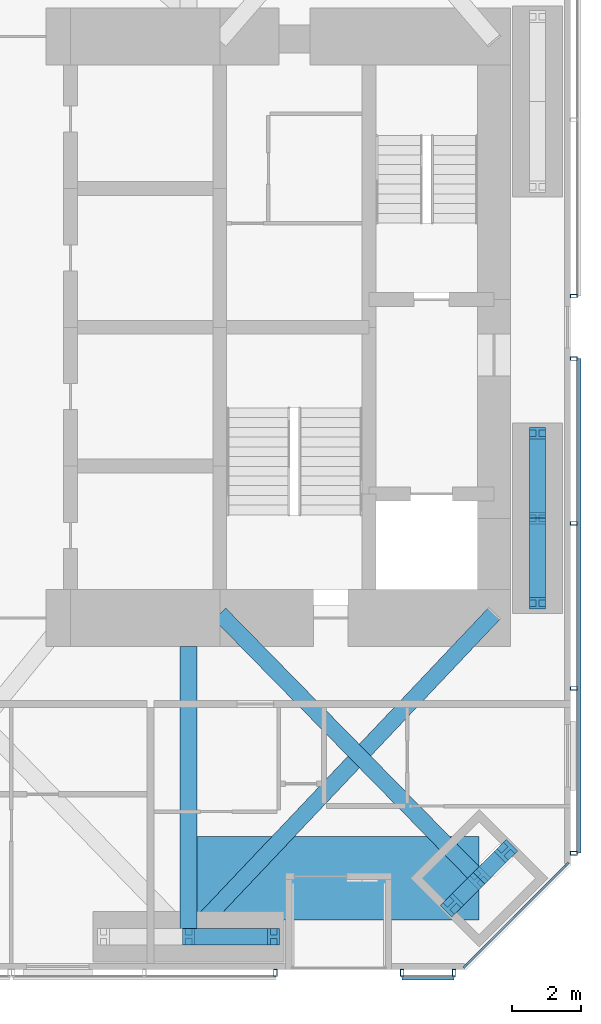
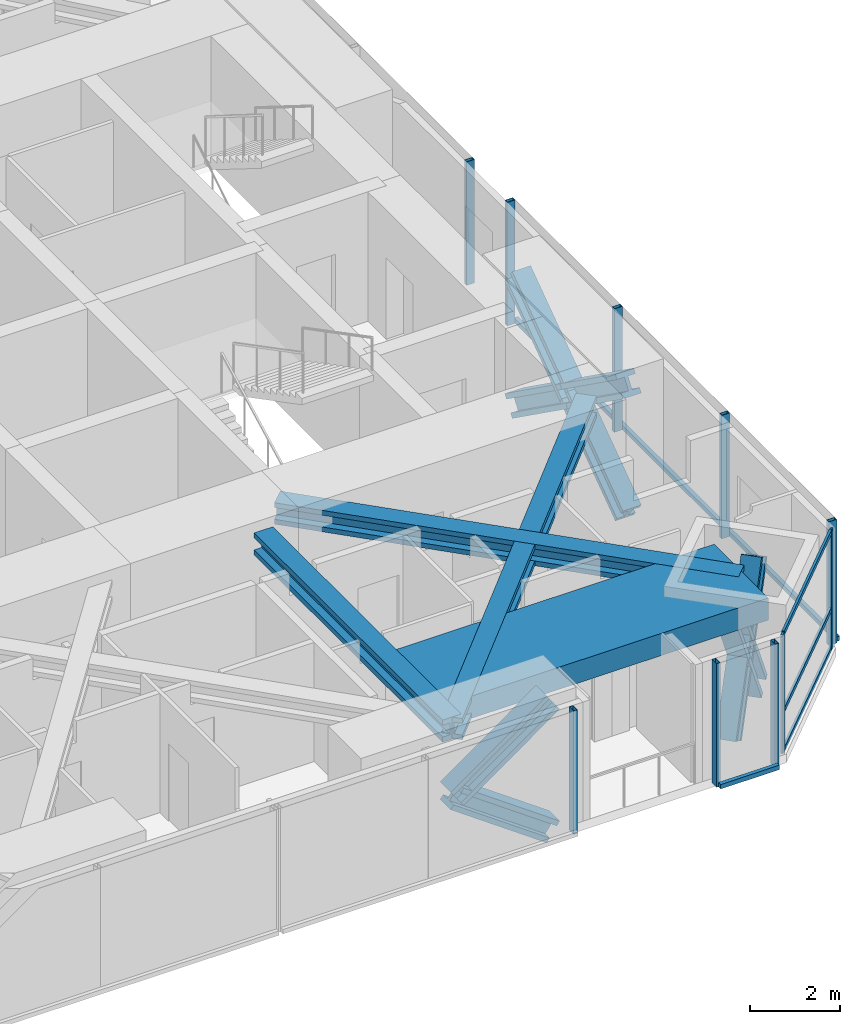
# One storey, part 8 of 22: 27 members, 2 beams, 5 elements without a shape of their own.
"""IFC4 building model written with IfcOpenShell, lengths in metres."""

from ifc_helpers import new_model, si_unit, direction, frame, origin, origin_2d, place, context, subcontext, project, spatial, rectangle, hollow_rectangle, i_section, extrude, material, material_profile, profile_set, type_object, element, aggregate, save


model = new_model("IFC4")

# Units and contexts
model_context = context("Model", 3, precision=1e-05, world=origin(), true_north=direction((0.0, 1.0)))
body_context = subcontext(model_context, "Body", "Model", "MODEL_VIEW")
ifc_project = project(units=[si_unit("LENGTHUNIT", "METRE"), si_unit("AREAUNIT", "SQUARE_METRE"), si_unit("VOLUMEUNIT", "CUBIC_METRE"), si_unit("PLANEANGLEUNIT", "RADIAN"), si_unit("MASSUNIT", "GRAM", prefix="KILO")], contexts=[model_context])

# Site, building, storey
site_placement = place(None, origin())
site = spatial("IfcSite", under=ifc_project, at=site_placement, CompositionType="ELEMENT")
building_placement = place(site_placement, origin())
building = spatial("IfcBuilding", under=site, at=building_placement, Name="Jalousie Tower", CompositionType="ELEMENT")
storey_placement = place(building_placement, frame((0.0, 0.0, 71.25)))
storey = spatial("IfcBuildingStorey", under=building, at=storey_placement, Name="L19", CompositionType="ELEMENT", Elevation=71.25)

# Curtain wall, members
ifc_material_1 = material(Name="Aluminium curtain wall", Category="aluminium")
curtain_wall_type_1 = type_object("IfcCurtainWallType", Name="CORNER WINDOW WALL", PredefinedType="USERDEFINED", material=ifc_material_1)
curtain_wall_1_placement = place(storey_placement, origin())
curtain_wall_1 = element("IfcCurtainWall", 1, at=curtain_wall_1_placement, inside=storey, type_object=curtain_wall_type_1, Name="Corner Window Wall L19 2", ObjectType="CORNER WINDOW WALL", PredefinedType="USERDEFINED")
ifc_material_2 = material(Name="Aluminium mullion", Category="aluminium")
ifc_material_profile_1 = material_profile(ifc_material_2, rectangle(XDim=0.06005859375, YDim=0.14990234375, at=origin_2d()), Name="MULLION 60x150")
ifc_profile_set_1 = profile_set([ifc_material_profile_1], Name="Aluminium mullion")
member_type_1 = type_object("IfcMemberType", Name="CORNER WINDOW WALL MULLION", PredefinedType="MULLION", material=ifc_profile_set_1)
member_1_placement = place(storey_placement, frame((42.969970703125, 0.108642578125, 0.0), z_axis=(0.0, 0.0, 1.0), x_axis=(-0.707106781187, 0.707106781187, 0.0)))
member_1 = element("IfcMember", 2, at=member_1_placement, type_object=member_type_1, Name="CW-C mullion 1", PredefinedType="MULLION", context=body_context, shape_type="SweptSolid", body=[
    extrude(rectangle(XDim=0.06005859375, YDim=0.14990234375, at=origin_2d()), origin(), (0.0, 0.0, 1.0), 3.219970703125),
])
member_2_placement = place(storey_placement, frame((45.891357421875, 3.030029296875, 0.0), z_axis=(0.0, 0.0, 1.0), x_axis=(-0.707106781187, 0.707106781187, 0.0)))
member_2 = element("IfcMember", 3, at=member_2_placement, type_object=member_type_1, Name="CW-C mullion 2", PredefinedType="MULLION", context=body_context, shape_type="SweptSolid", body=[
    extrude(rectangle(XDim=0.06005859375, YDim=0.14990234375, at=origin_2d()), origin(), (0.0, 0.0, 1.0), 3.219970703125),
])
ifc_material_3 = material(Name="Aluminium transom", Category="aluminium")
ifc_material_profile_2 = material_profile(ifc_material_3, rectangle(XDim=0.06005859375, YDim=0.1201171875, at=origin_2d()), Name="TRANSOM 60x120")
ifc_profile_set_2 = profile_set([ifc_material_profile_2], Name="Aluminium transom")
member_type_2 = type_object("IfcMemberType", Name="CORNER WINDOW WALL TRANSOM", PredefinedType="USERDEFINED", material=ifc_profile_set_2)
member_3_placement = place(storey_placement, frame((42.9912109375, 0.1298828125, 0.030029296875), z_axis=(0.707106781187, 0.707106781187, 0.0), x_axis=(-0.707106781187, 0.707106781187, 0.0)))
member_3 = element("IfcMember", 4, at=member_3_placement, type_object=member_type_2, Name="CW-C transom 1.1", ObjectType="TRANSOM", PredefinedType="USERDEFINED", context=body_context, shape_type="SweptSolid", body=[
    extrude(rectangle(XDim=0.06005859375, YDim=0.1201171875, at=origin_2d()), origin(), (0.0, 0.0, 1.0), 4.0712890625),
])
member_4_placement = place(storey_placement, frame((42.9912109375, 0.1298828125, 1.10009765625), z_axis=(0.707106781187, 0.707106781187, 0.0), x_axis=(-0.707106781187, 0.707106781187, 0.0)))
member_4 = element("IfcMember", 5, at=member_4_placement, type_object=member_type_2, Name="CW-C transom 1.2", ObjectType="TRANSOM", PredefinedType="USERDEFINED", context=body_context, shape_type="SweptSolid", body=[
    extrude(rectangle(XDim=0.06005859375, YDim=0.1201171875, at=origin_2d()), origin(), (0.0, 0.0, 1.0), 4.0712890625),
])
member_5_placement = place(storey_placement, frame((42.9912109375, 0.1298828125, 3.18994140625), z_axis=(0.707106781187, 0.707106781187, 0.0), x_axis=(-0.707106781187, 0.707106781187, 0.0)))
member_5 = element("IfcMember", 6, at=member_5_placement, type_object=member_type_2, Name="CW-C transom 1.3", ObjectType="TRANSOM", PredefinedType="USERDEFINED", context=body_context, shape_type="SweptSolid", body=[
    extrude(rectangle(XDim=0.06005859375, YDim=0.1201171875, at=origin_2d()), origin(), (0.0, 0.0, 1.0), 4.0712890625),
])
aggregate(curtain_wall_1, [member_1, member_2, member_3, member_4, member_5])

# Members
ifc_material_4 = material(Name="Steel ASTM A992 Grade 50", Category="steel")
ifc_material_profile_3 = material_profile(ifc_material_4, i_section(OverallWidth=0.472412109375, OverallDepth=0.5791015625, WebThickness=0.094970703125, FlangeThickness=0.1298828125, at=origin_2d()), Name="W14X808")
ifc_profile_set_3 = profile_set([ifc_material_profile_3], Name="Steel ASTM A992 Grade 50")
member_type_3 = type_object("IfcMemberType", Name="KINK FLOOR TRUSS DIAGONAL W14X808", PredefinedType="BRACE", material=ifc_profile_set_3)
member_6_placement = place(storey_placement, frame((35.0, 0.949951171875, 2.930419921875), z_axis=(0.687311358421, 0.726362923466, 0.0), x_axis=(-0.726362923466, 0.687311358421, 0.0)))
element("IfcMember", 7, at=member_6_placement, inside=storey, type_object=member_type_3, Name="Kink floor truss L20 04 diagonal", PredefinedType="BRACE", context=body_context, shape_type="SweptSolid", body=[
    extrude(i_section(OverallWidth=0.472412109375, OverallDepth=0.5791015625, WebThickness=0.094970703125, FlangeThickness=0.1298828125, at=origin_2d()), origin(), (0.0, 0.0, 1.0), 12.803466796875),
])
member_7_placement = place(storey_placement, frame((43.36865234375, 2.63134765625, 2.930419921875), z_axis=(-0.70004670136, 0.714097063371, 0.0), x_axis=(-0.714097063371, -0.70004670136, 0.0)))
element("IfcMember", 8, at=member_7_placement, inside=storey, type_object=member_type_3, Name="Kink floor truss L20 05 diagonal", PredefinedType="BRACE", context=body_context, shape_type="SweptSolid", body=[
    extrude(i_section(OverallWidth=0.472412109375, OverallDepth=0.5791015625, WebThickness=0.094970703125, FlangeThickness=0.1298828125, at=origin_2d()), origin(), (0.0, 0.0, 1.0), 10.6689453125),
])

# Beam
ifc_material_5 = material(Name="Steel ASTM A992 Grade 50", Category="steel")
ifc_material_profile_4 = material_profile(ifc_material_5, i_section(OverallWidth=0.4775390625, OverallDepth=0.599365234375, WebThickness=0.10009765625, FlangeThickness=0.139892578125, at=origin_2d()), Name="W14X873")
ifc_profile_set_4 = profile_set([ifc_material_profile_4], Name="Steel ASTM A992 Grade 50")
beam_type_1 = type_object("IfcBeamType", Name="KINK TIE W14X873", PredefinedType="BEAM", material=ifc_profile_set_4)
beam_1_placement = place(storey_placement, frame((35.0, 0.949951171875, 2.92041015625), z_axis=(0.0, 1.0, 0.0), x_axis=(-1.0, 0.0, 0.0)))
element("IfcBeam", 9, at=beam_1_placement, inside=storey, type_object=beam_type_1, Name="Kink tie under L20", PredefinedType="BEAM", context=body_context, shape_type="SweptSolid", body=[
    extrude(i_section(OverallWidth=0.4775390625, OverallDepth=0.599365234375, WebThickness=0.10009765625, FlangeThickness=0.139892578125, at=origin_2d()), origin(), (0.0, 0.0, 1.0), 8.35009765625),
])

# Members
ifc_material_6 = material(Name="Steel ASTM A992 Grade 50", Category="steel")
ifc_material_profile_5 = material_profile(ifc_material_6, i_section(OverallWidth=0.472412109375, OverallDepth=0.5791015625, WebThickness=0.094970703125, FlangeThickness=0.1298828125, at=origin_2d()), Name="W14X808")
ifc_profile_set_5 = profile_set([ifc_material_profile_5], Name="Steel ASTM A992 Grade 50")
member_type_4 = type_object("IfcMemberType", Name="PERIMETER BRACE W14X808", PredefinedType="BRACE", material=ifc_profile_set_5)
for number, where, z_axis, x_axis, name in (
    (10, (35.0, 0.949951171875, 1.14990234375), (0.813727992185, 0.0, 0.581245864273), (0.0, 1.0, 0.0), "Perimeter brace 04 L19 part 2"),
    (11, (37.449951171875, 0.949951171875, -0.60009765625), (-0.813727992185, 0.0, 0.581245864273), (0.0, -1.0, 0.0), "Perimeter brace 04 L19 part 3"),
):
    element("IfcMember", number, at=place(storey_placement, frame(where, z_axis=z_axis, x_axis=x_axis)), inside=storey, type_object=member_type_4, Name=name, PredefinedType="BRACE", context=body_context, shape_type="SweptSolid", body=[
        extrude(i_section(OverallWidth=0.472412109375, OverallDepth=0.5791015625, WebThickness=0.094970703125, FlangeThickness=0.1298828125, at=origin_2d()), origin(), (0.0, 0.0, 1.0), 3.0107421875),
    ])
for number, where, z_axis, x_axis, name in (
    (12, (42.5908203125, 1.853515625, -0.60009765625), (0.376307161585, 0.376307161585, 0.846632057201), (-0.707106781187, 0.707106781187, 0.0), "Perimeter brace 05 L19 part 1"),
    (13, (43.36865234375, 2.63134765625, 1.14990234375), (0.376307161585, 0.376307161585, 0.846632057201), (-0.707106781187, 0.707106781187, 0.0), "Perimeter brace 05 L19 part 2"),
    (14, (44.146484375, 3.4091796875, -0.60009765625), (-0.376307161585, -0.376307161585, 0.846632057201), (0.707106781187, -0.707106781187, 0.0), "Perimeter brace 05 L19 part 3"),
    (15, (43.36865234375, 2.63134765625, 1.14990234375), (-0.376307161585, -0.376307161585, 0.846632057201), (0.707106781187, -0.707106781187, 0.0), "Perimeter brace 05 L19 part 4"),
):
    element("IfcMember", number, at=place(storey_placement, frame(where, z_axis=z_axis, x_axis=x_axis)), inside=storey, type_object=member_type_4, Name=name, PredefinedType="BRACE", context=body_context, shape_type="SweptSolid", body=[
        extrude(i_section(OverallWidth=0.472412109375, OverallDepth=0.5791015625, WebThickness=0.094970703125, FlangeThickness=0.1298828125, at=origin_2d()), origin(), (0.0, 0.0, 1.0), 2.06689453125),
    ])
for number, where, z_axis, x_axis, name in (
    (16, (45.050048828125, 10.550048828125, -0.60009765625), (0.0, 0.813727992185, 0.581245864273), (-1.0, 0.0, 0.0), "Perimeter brace 06 L19 part 1"),
    (17, (45.050048828125, 13.0, 1.14990234375), (0.0, 0.813727992185, 0.581245864273), (-1.0, 0.0, 0.0), "Perimeter brace 06 L19 part 2"),
    (18, (45.050048828125, 15.449951171875, -0.60009765625), (0.0, -0.813727992185, 0.581245864273), (1.0, 0.0, 0.0), "Perimeter brace 06 L19 part 3"),
    (19, (45.050048828125, 13.0, 1.14990234375), (0.0, -0.813727992185, 0.581245864273), (1.0, 0.0, 0.0), "Perimeter brace 06 L19 part 4"),
):
    element("IfcMember", number, at=place(storey_placement, frame(where, z_axis=z_axis, x_axis=x_axis)), inside=storey, type_object=member_type_4, Name=name, PredefinedType="BRACE", context=body_context, shape_type="SweptSolid", body=[
        extrude(i_section(OverallWidth=0.472412109375, OverallDepth=0.5791015625, WebThickness=0.094970703125, FlangeThickness=0.1298828125, at=origin_2d()), origin(), (0.0, 0.0, 1.0), 3.0107421875),
    ])

# Beam
ifc_material_7 = material(Name="Concrete f'c 40 MPa", Category="concrete")
ifc_material_profile_6 = material_profile(ifc_material_7, rectangle(XDim=2.39990234375, YDim=0.60009765625, at=origin_2d()), Name="RC 2400x600")
ifc_profile_set_6 = profile_set([ifc_material_profile_6], Name="Concrete f'c 40 MPa")
beam_type_2 = type_object("IfcBeamType", Name="RC BEAM 2400x600", PredefinedType="BEAM", material=ifc_profile_set_6)
beam_2_placement = place(storey_placement, frame((43.36865234375, 2.63134765625, 2.919921875), z_axis=(-1.0, 0.0, 0.0), x_axis=(0.0, -1.0, 0.0)))
element("IfcBeam", 20, at=beam_2_placement, inside=storey, type_object=beam_type_2, Name="Floor band beam under L20", PredefinedType="BEAM", context=body_context, shape_type="SweptSolid", body=[
    extrude(rectangle(XDim=2.39990234375, YDim=0.60009765625, at=origin_2d()), origin(), (0.0, 0.0, 1.0), 8.36865234375),
])

# Curtain wall, member
ifc_material_8 = material(Name="Perforated aluminium sheet", Category="aluminium")
curtain_wall_type_2 = type_object("IfcCurtainWallType", Name="SOLAR SCREEN SS-2", PredefinedType="USERDEFINED", material=ifc_material_8)
curtain_wall_2_placement = place(storey_placement, origin())
curtain_wall_2 = element("IfcCurtainWall", 21, at=curtain_wall_2_placement, inside=storey, type_object=curtain_wall_type_2, Name="Solar screen L19", ObjectType="SOLAR SCREEN SS-2", PredefinedType="USERDEFINED")
ifc_material_9 = material(Name="Steel ASTM A500 Grade C", Category="steel")
ifc_material_profile_7 = material_profile(ifc_material_9, hollow_rectangle(XDim=0.1015625, YDim=0.203125, WallThickness=0.0078125, at=origin_2d()), Name="HSS8X4X5/16")
ifc_profile_set_7 = profile_set([ifc_material_profile_7], Name="Steel ASTM A500 Grade C")
member_type_5 = type_object("IfcMemberType", Name="SOLAR SCREEN SS-2 MULLION", PredefinedType="MULLION", material=ifc_profile_set_7)
member_8_placement = place(storey_placement, frame((37.5, -0.0966796875, -0.1201171875), z_axis=(0.0, 0.0, 1.0), x_axis=(1.0, 0.0, 0.0)))
member_8 = element("IfcMember", 22, at=member_8_placement, type_object=member_type_5, Name="SS2 post 3", PredefinedType="MULLION", context=body_context, shape_type="SweptSolid", body=[
    extrude(hollow_rectangle(XDim=0.1015625, YDim=0.203125, WallThickness=0.0078125, at=origin_2d()), origin(), (0.0, 0.0, 1.0), 3.340087890625),
])
aggregate(curtain_wall_2, [member_8])

# Curtain wall, members
curtain_wall_3_placement = place(storey_placement, origin())
curtain_wall_3 = element("IfcCurtainWall", 23, at=curtain_wall_3_placement, inside=storey, type_object=curtain_wall_type_2, Name="Solar screen L19", ObjectType="SOLAR SCREEN SS-2", PredefinedType="USERDEFINED")
member_9_placement = place(storey_placement, frame((41.14990234375, -0.0966796875, -0.1201171875), z_axis=(0.0, 0.0, 1.0), x_axis=(1.0, 0.0, 0.0)))
member_9 = element("IfcMember", 24, at=member_9_placement, type_object=member_type_5, Name="SS2 post 1", PredefinedType="MULLION", context=body_context, shape_type="SweptSolid", body=[
    extrude(hollow_rectangle(XDim=0.1015625, YDim=0.203125, WallThickness=0.0078125, at=origin_2d()), origin(), (0.0, 0.0, 1.0), 3.340087890625),
])
member_10_placement = place(storey_placement, frame((42.648681640625, -0.0966796875, -0.1201171875), z_axis=(0.0, 0.0, 1.0), x_axis=(1.0, 0.0, 0.0)))
member_10 = element("IfcMember", 25, at=member_10_placement, type_object=member_type_5, Name="SS2 post 2", PredefinedType="MULLION", context=body_context, shape_type="SweptSolid", body=[
    extrude(hollow_rectangle(XDim=0.1015625, YDim=0.203125, WallThickness=0.0078125, at=origin_2d()), origin(), (0.0, 0.0, 1.0), 3.340087890625),
])

curtain_wall_4_placement = place(storey_placement, origin())
curtain_wall_4 = element("IfcCurtainWall", 26, at=curtain_wall_4_placement, inside=storey, type_object=curtain_wall_type_2, Name="Solar screen L19", ObjectType="SOLAR SCREEN SS-2", PredefinedType="USERDEFINED")
member_11_placement = place(storey_placement, frame((46.0966796875, 3.351318359375, -0.1201171875), z_axis=(0.0, 0.0, 1.0), x_axis=(0.0, 1.0, 0.0)))
member_11 = element("IfcMember", 27, at=member_11_placement, type_object=member_type_5, Name="SS2 post 1", PredefinedType="MULLION", context=body_context, shape_type="SweptSolid", body=[
    extrude(hollow_rectangle(XDim=0.1015625, YDim=0.203125, WallThickness=0.0078125, at=origin_2d()), origin(), (0.0, 0.0, 1.0), 3.340087890625),
])
member_12_placement = place(storey_placement, frame((46.0966796875, 8.100830078125, -0.1201171875), z_axis=(0.0, 0.0, 1.0), x_axis=(0.0, 1.0, 0.0)))
member_12 = element("IfcMember", 28, at=member_12_placement, type_object=member_type_5, Name="SS2 post 2", PredefinedType="MULLION", context=body_context, shape_type="SweptSolid", body=[
    extrude(hollow_rectangle(XDim=0.1015625, YDim=0.203125, WallThickness=0.0078125, at=origin_2d()), origin(), (0.0, 0.0, 1.0), 3.340087890625),
])
member_13_placement = place(storey_placement, frame((46.0966796875, 12.850341796875, -0.1201171875), z_axis=(0.0, 0.0, 1.0), x_axis=(0.0, 1.0, 0.0)))
member_13 = element("IfcMember", 29, at=member_13_placement, type_object=member_type_5, Name="SS2 post 3", PredefinedType="MULLION", context=body_context, shape_type="SweptSolid", body=[
    extrude(hollow_rectangle(XDim=0.1015625, YDim=0.203125, WallThickness=0.0078125, at=origin_2d()), origin(), (0.0, 0.0, 1.0), 3.340087890625),
])
member_14_placement = place(storey_placement, frame((46.0966796875, 17.60009765625, -0.1201171875), z_axis=(0.0, 0.0, 1.0), x_axis=(0.0, 1.0, 0.0)))
member_14 = element("IfcMember", 30, at=member_14_placement, type_object=member_type_5, Name="SS2 post 4", PredefinedType="MULLION", context=body_context, shape_type="SweptSolid", body=[
    extrude(hollow_rectangle(XDim=0.1015625, YDim=0.203125, WallThickness=0.0078125, at=origin_2d()), origin(), (0.0, 0.0, 1.0), 3.340087890625),
])

# Curtain wall, member
curtain_wall_5_placement = place(storey_placement, origin())
curtain_wall_5 = element("IfcCurtainWall", 31, at=curtain_wall_5_placement, inside=storey, type_object=curtain_wall_type_2, Name="Solar screen L19", ObjectType="SOLAR SCREEN SS-2", PredefinedType="USERDEFINED")
member_15_placement = place(storey_placement, frame((46.0966796875, 19.39990234375, -0.1201171875), z_axis=(0.0, 0.0, 1.0), x_axis=(0.0, 1.0, 0.0)))
member_15 = element("IfcMember", 32, at=member_15_placement, type_object=member_type_5, Name="SS2 post 1", PredefinedType="MULLION", context=body_context, shape_type="SweptSolid", body=[
    extrude(hollow_rectangle(XDim=0.1015625, YDim=0.203125, WallThickness=0.0078125, at=origin_2d()), origin(), (0.0, 0.0, 1.0), 3.340087890625),
])
aggregate(curtain_wall_5, [member_15])

# Member
ifc_material_10 = material(Name="Extruded aluminium screen rail", Category="aluminium")
ifc_material_profile_8 = material_profile(ifc_material_10, rectangle(XDim=0.1015625, YDim=0.1201171875, at=origin_2d()), Name="RAIL 102x120")
ifc_profile_set_8 = profile_set([ifc_material_profile_8], Name="Extruded aluminium screen rail")
member_type_6 = type_object("IfcMemberType", Name="SOLAR SCREEN SS-2 TRANSOM", PredefinedType="USERDEFINED", material=ifc_profile_set_8)
member_16_placement = place(storey_placement, frame((41.14990234375, -0.2490234375, -0.06005859375), z_axis=(1.0, 0.0, 0.0), x_axis=(0.0, 1.0, 0.0)))
member_16 = element("IfcMember", 33, at=member_16_placement, type_object=member_type_6, Name="SS2 rail", ObjectType="TRANSOM", PredefinedType="USERDEFINED", context=body_context, shape_type="SweptSolid", body=[
    extrude(rectangle(XDim=0.1015625, YDim=0.1201171875, at=origin_2d()), origin(), (0.0, 0.0, 1.0), 1.498779296875),
])

aggregate(curtain_wall_3, [member_9, member_10, member_16])

member_17_placement = place(storey_placement, frame((46.2490234375, 3.351318359375, -0.06005859375), z_axis=(0.0, 1.0, 0.0), x_axis=(-1.0, 0.0, 0.0)))
member_17 = element("IfcMember", 34, at=member_17_placement, type_object=member_type_6, Name="SS2 rail", ObjectType="TRANSOM", PredefinedType="USERDEFINED", context=body_context, shape_type="SweptSolid", body=[
    extrude(rectangle(XDim=0.1015625, YDim=0.1201171875, at=origin_2d()), origin(), (0.0, 0.0, 1.0), 14.248779296875),
])

aggregate(curtain_wall_4, [member_11, member_12, member_13, member_14, member_17])

save(model, "model.ifc")
